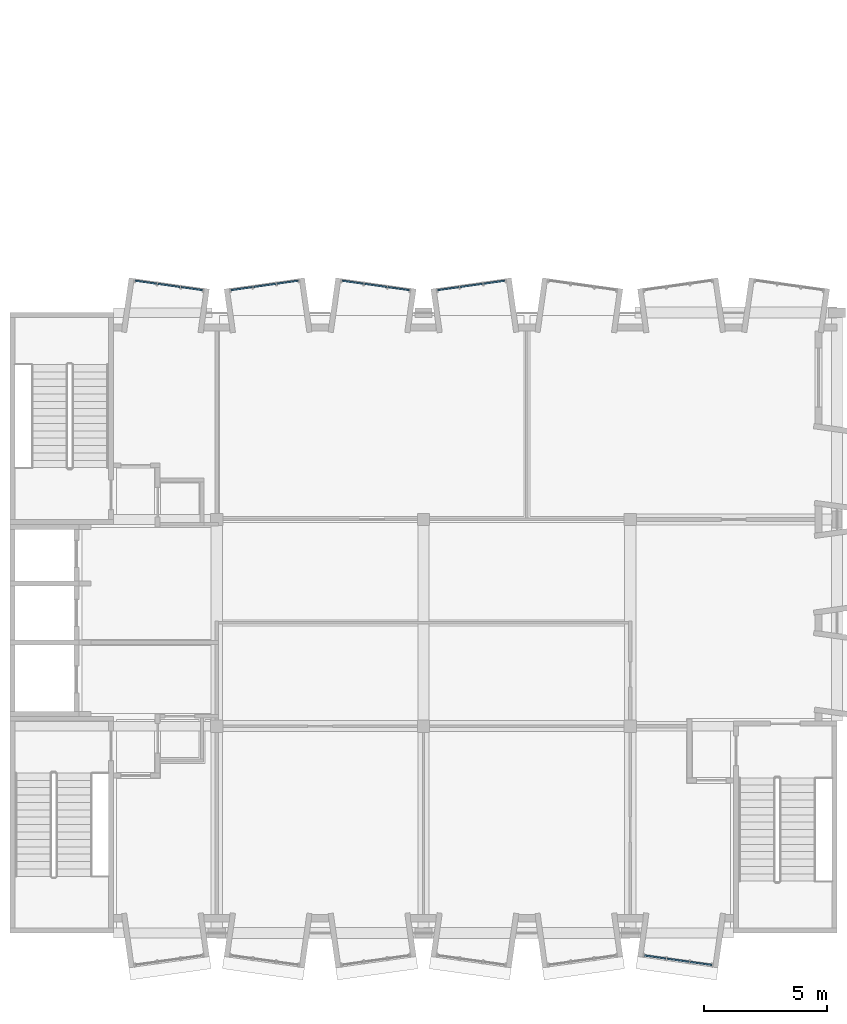
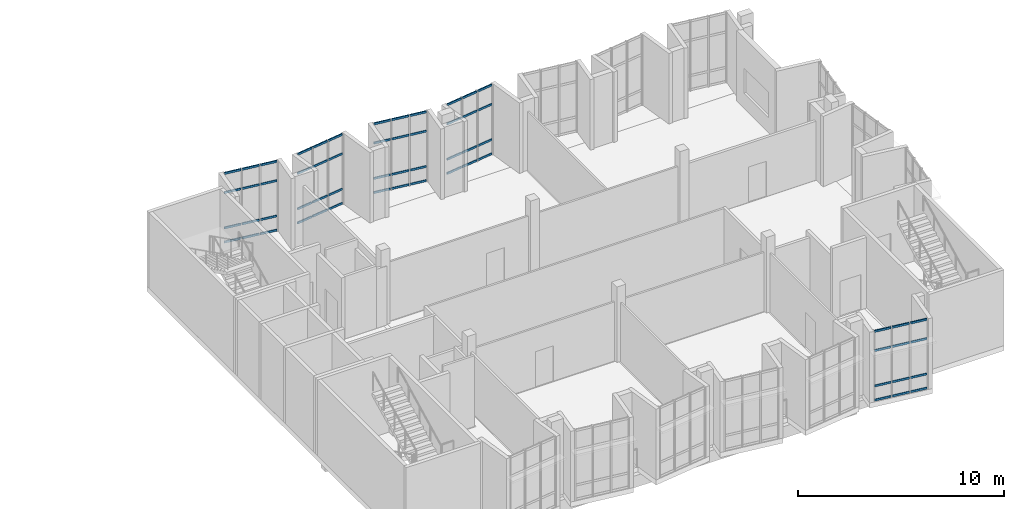
# One storey, part 6 of 18: 60 members, 5 elements without a shape of their own.
"""IFC4 building model written with IfcOpenShell, lengths in metres."""

from ifc_helpers import new_model, si_unit, direction, frame, origin, origin_2d, place, context, subcontext, project, spatial, rectangle, extrude, material, layer, layer_set, material_profile, profile_set, type_object, element, aggregate, save


model = new_model("IFC4")

# Units and contexts
model_context = context("Model", 3, precision=1e-05, world=origin(), true_north=direction((0.0, 1.0)))
body_context = subcontext(model_context, "Body", "Model", "MODEL_VIEW")
ifc_project = project(units=[si_unit("LENGTHUNIT", "METRE"), si_unit("AREAUNIT", "SQUARE_METRE"), si_unit("VOLUMEUNIT", "CUBIC_METRE"), si_unit("PLANEANGLEUNIT", "RADIAN"), si_unit("MASSUNIT", "GRAM", prefix="KILO")], contexts=[model_context])

# Site, building, storey
site_placement = place(None, origin())
site = spatial("IfcSite", under=ifc_project, at=site_placement, CompositionType="ELEMENT")
building_placement = place(site_placement, origin())
building = spatial("IfcBuilding", under=site, at=building_placement, Name="Kiln Court Media Centre", CompositionType="ELEMENT")
storey_placement = place(building_placement, frame((0.0, 0.0, 33.60009765625)))
storey = spatial("IfcBuildingStorey", under=building, at=storey_placement, Name="L07", CompositionType="ELEMENT", Elevation=33.60009765625)

# Curtain wall, members
ifc_material_1 = material(Name="Aluminium 6063-T6", Category="aluminium")
ifc_layer = layer(ifc_material_1, 0.1201171875)
ifc_layer_set = layer_set([ifc_layer], Name="Aluminium unitised bay curtain wall")
curtain_wall_type = type_object("IfcCurtainWallType", Name="Aluminium unitised bay curtain wall", PredefinedType="USERDEFINED", material=ifc_layer_set)
curtain_wall_1_placement = place(storey_placement, origin())
curtain_wall_1 = element("IfcCurtainWall", 1, at=curtain_wall_1_placement, inside=storey, type_object=curtain_wall_type, Name="BAY V6A-N-L07-45 front", ObjectType="UNITISED CURTAIN WALL", PredefinedType="USERDEFINED")
ifc_material_2 = material(Name="Aluminium 6063-T6", Category="aluminium")
ifc_material_profile = material_profile(ifc_material_2, rectangle(XDim=0.06005859375, YDim=0.1201171875, at=origin_2d()), Name="Aluminium transom 60x120")
ifc_profile_set = profile_set([ifc_material_profile], Name="Aluminium 6063-T6")
member_type = type_object("IfcMemberType", Name="Aluminium transom 60x120", PredefinedType="USERDEFINED", material=ifc_profile_set)
member_1_placement = place(storey_placement, frame((5.09423828125, 26.50048828125, 0.059814453125), z_axis=(0.990268108888, -0.139172815303, 0.0), x_axis=(0.139172815303, 0.990268108888, 0.0)))
member_1 = element("IfcMember", 2, at=member_1_placement, type_object=member_type, Name="CW7-04 transom 1.1", ObjectType="TRANSOM", PredefinedType="USERDEFINED", context=body_context, shape_type="SweptSolid", body=[
    extrude(rectangle(XDim=0.06005859375, YDim=0.1201171875, at=origin_2d()), origin(), (0.0, 0.0, 1.0), 0.86669921875),
])
member_2_placement = place(storey_placement, frame((5.09423828125, 26.50048828125, 0.89990234375), z_axis=(0.990268108888, -0.139172815303, 0.0), x_axis=(0.139172815303, 0.990268108888, 0.0)))
member_2 = element("IfcMember", 3, at=member_2_placement, type_object=member_type, Name="CW7-04 transom 1.2", ObjectType="TRANSOM", PredefinedType="USERDEFINED", context=body_context, shape_type="SweptSolid", body=[
    extrude(rectangle(XDim=0.06005859375, YDim=0.1201171875, at=origin_2d()), origin(), (0.0, 0.0, 1.0), 0.86669921875),
])
member_3_placement = place(storey_placement, frame((5.09423828125, 26.50048828125, 3.0), z_axis=(0.990268108888, -0.139172815303, 0.0), x_axis=(0.139172815303, 0.990268108888, 0.0)))
member_3 = element("IfcMember", 4, at=member_3_placement, type_object=member_type, Name="CW7-04 transom 1.3", ObjectType="TRANSOM", PredefinedType="USERDEFINED", context=body_context, shape_type="SweptSolid", body=[
    extrude(rectangle(XDim=0.06005859375, YDim=0.1201171875, at=origin_2d()), origin(), (0.0, 0.0, 1.0), 0.86669921875),
])
member_4_placement = place(storey_placement, frame((5.09423828125, 26.50048828125, 4.139892578125), z_axis=(0.990268108888, -0.139172815303, 0.0), x_axis=(0.139172815303, 0.990268108888, 0.0)))
member_4 = element("IfcMember", 5, at=member_4_placement, type_object=member_type, Name="CW7-04 transom 1.4", ObjectType="TRANSOM", PredefinedType="USERDEFINED", context=body_context, shape_type="SweptSolid", body=[
    extrude(rectangle(XDim=0.06005859375, YDim=0.1201171875, at=origin_2d()), origin(), (0.0, 0.0, 1.0), 0.86669921875),
])
member_5_placement = place(storey_placement, frame((6.011962890625, 26.37158203125, 0.059814453125), z_axis=(0.990273584723, -0.13913384707, 0.0), x_axis=(0.13913384707, 0.990273584723, 0.0)))
member_5 = element("IfcMember", 6, at=member_5_placement, type_object=member_type, Name="CW7-04 transom 2.1", ObjectType="TRANSOM", PredefinedType="USERDEFINED", context=body_context, shape_type="SweptSolid", body=[
    extrude(rectangle(XDim=0.06005859375, YDim=0.1201171875, at=origin_2d()), origin(), (0.0, 0.0, 1.0), 0.896728515625),
])
member_6_placement = place(storey_placement, frame((6.011962890625, 26.37158203125, 0.89990234375), z_axis=(0.990273584723, -0.13913384707, 0.0), x_axis=(0.13913384707, 0.990273584723, 0.0)))
member_6 = element("IfcMember", 7, at=member_6_placement, type_object=member_type, Name="CW7-04 transom 2.2", ObjectType="TRANSOM", PredefinedType="USERDEFINED", context=body_context, shape_type="SweptSolid", body=[
    extrude(rectangle(XDim=0.06005859375, YDim=0.1201171875, at=origin_2d()), origin(), (0.0, 0.0, 1.0), 0.896728515625),
])
member_7_placement = place(storey_placement, frame((6.011962890625, 26.37158203125, 3.0), z_axis=(0.990273584723, -0.13913384707, 0.0), x_axis=(0.13913384707, 0.990273584723, 0.0)))
member_7 = element("IfcMember", 8, at=member_7_placement, type_object=member_type, Name="CW7-04 transom 2.3", ObjectType="TRANSOM", PredefinedType="USERDEFINED", context=body_context, shape_type="SweptSolid", body=[
    extrude(rectangle(XDim=0.06005859375, YDim=0.1201171875, at=origin_2d()), origin(), (0.0, 0.0, 1.0), 0.896728515625),
])
member_8_placement = place(storey_placement, frame((6.011962890625, 26.37158203125, 4.139892578125), z_axis=(0.990273584723, -0.13913384707, 0.0), x_axis=(0.13913384707, 0.990273584723, 0.0)))
member_8 = element("IfcMember", 9, at=member_8_placement, type_object=member_type, Name="CW7-04 transom 2.4", ObjectType="TRANSOM", PredefinedType="USERDEFINED", context=body_context, shape_type="SweptSolid", body=[
    extrude(rectangle(XDim=0.06005859375, YDim=0.1201171875, at=origin_2d()), origin(), (0.0, 0.0, 1.0), 0.896728515625),
])
member_9_placement = place(storey_placement, frame((6.959228515625, 26.23828125, 0.059814453125), z_axis=(0.990268108888, -0.139172815303, 0.0), x_axis=(0.139172815303, 0.990268108888, 0.0)))
member_9 = element("IfcMember", 10, at=member_9_placement, type_object=member_type, Name="CW7-04 transom 3.1", ObjectType="TRANSOM", PredefinedType="USERDEFINED", context=body_context, shape_type="SweptSolid", body=[
    extrude(rectangle(XDim=0.06005859375, YDim=0.1201171875, at=origin_2d()), origin(), (0.0, 0.0, 1.0), 0.86669921875),
])
member_10_placement = place(storey_placement, frame((6.959228515625, 26.23828125, 0.89990234375), z_axis=(0.990268108888, -0.139172815303, 0.0), x_axis=(0.139172815303, 0.990268108888, 0.0)))
member_10 = element("IfcMember", 11, at=member_10_placement, type_object=member_type, Name="CW7-04 transom 3.2", ObjectType="TRANSOM", PredefinedType="USERDEFINED", context=body_context, shape_type="SweptSolid", body=[
    extrude(rectangle(XDim=0.06005859375, YDim=0.1201171875, at=origin_2d()), origin(), (0.0, 0.0, 1.0), 0.86669921875),
])
member_11_placement = place(storey_placement, frame((6.959228515625, 26.23828125, 3.0), z_axis=(0.990268108888, -0.139172815303, 0.0), x_axis=(0.139172815303, 0.990268108888, 0.0)))
member_11 = element("IfcMember", 12, at=member_11_placement, type_object=member_type, Name="CW7-04 transom 3.3", ObjectType="TRANSOM", PredefinedType="USERDEFINED", context=body_context, shape_type="SweptSolid", body=[
    extrude(rectangle(XDim=0.06005859375, YDim=0.1201171875, at=origin_2d()), origin(), (0.0, 0.0, 1.0), 0.86669921875),
])
member_12_placement = place(storey_placement, frame((6.959228515625, 26.23828125, 4.139892578125), z_axis=(0.990268108888, -0.139172815303, 0.0), x_axis=(0.139172815303, 0.990268108888, 0.0)))
member_12 = element("IfcMember", 13, at=member_12_placement, type_object=member_type, Name="CW7-04 transom 3.4", ObjectType="TRANSOM", PredefinedType="USERDEFINED", context=body_context, shape_type="SweptSolid", body=[
    extrude(rectangle(XDim=0.06005859375, YDim=0.1201171875, at=origin_2d()), origin(), (0.0, 0.0, 1.0), 0.86669921875),
])
aggregate(curtain_wall_1, [member_1, member_2, member_3, member_4, member_5, member_6, member_7, member_8, member_9, member_10, member_11, member_12])

curtain_wall_2_placement = place(storey_placement, origin())
curtain_wall_2 = element("IfcCurtainWall", 14, at=curtain_wall_2_placement, inside=storey, type_object=curtain_wall_type, Name="BAY V6A-N-L07-46 front", ObjectType="UNITISED CURTAIN WALL", PredefinedType="USERDEFINED")
member_13_placement = place(storey_placement, frame((8.982421875, 26.11767578125, 0.059814453125), z_axis=(0.990273563383, 0.139133998951, 0.0), x_axis=(-0.139133998951, 0.990273563383, 0.0)))
member_13 = element("IfcMember", 15, at=member_13_placement, type_object=member_type, Name="CW7-05 transom 1.1", ObjectType="TRANSOM", PredefinedType="USERDEFINED", context=body_context, shape_type="SweptSolid", body=[
    extrude(rectangle(XDim=0.06005859375, YDim=0.1201171875, at=origin_2d()), origin(), (0.0, 0.0, 1.0), 0.866943359375),
])
member_14_placement = place(storey_placement, frame((8.982421875, 26.11767578125, 0.89990234375), z_axis=(0.990273563383, 0.139133998951, 0.0), x_axis=(-0.139133998951, 0.990273563383, 0.0)))
member_14 = element("IfcMember", 16, at=member_14_placement, type_object=member_type, Name="CW7-05 transom 1.2", ObjectType="TRANSOM", PredefinedType="USERDEFINED", context=body_context, shape_type="SweptSolid", body=[
    extrude(rectangle(XDim=0.06005859375, YDim=0.1201171875, at=origin_2d()), origin(), (0.0, 0.0, 1.0), 0.866943359375),
])
member_15_placement = place(storey_placement, frame((8.982421875, 26.11767578125, 3.0), z_axis=(0.990273563383, 0.139133998951, 0.0), x_axis=(-0.139133998951, 0.990273563383, 0.0)))
member_15 = element("IfcMember", 17, at=member_15_placement, type_object=member_type, Name="CW7-05 transom 1.3", ObjectType="TRANSOM", PredefinedType="USERDEFINED", context=body_context, shape_type="SweptSolid", body=[
    extrude(rectangle(XDim=0.06005859375, YDim=0.1201171875, at=origin_2d()), origin(), (0.0, 0.0, 1.0), 0.866943359375),
])
member_16_placement = place(storey_placement, frame((8.982421875, 26.11767578125, 4.139892578125), z_axis=(0.990273563383, 0.139133998951, 0.0), x_axis=(-0.139133998951, 0.990273563383, 0.0)))
member_16 = element("IfcMember", 18, at=member_16_placement, type_object=member_type, Name="CW7-05 transom 1.4", ObjectType="TRANSOM", PredefinedType="USERDEFINED", context=body_context, shape_type="SweptSolid", body=[
    extrude(rectangle(XDim=0.06005859375, YDim=0.1201171875, at=origin_2d()), origin(), (0.0, 0.0, 1.0), 0.866943359375),
])
member_17_placement = place(storey_placement, frame((9.900146484375, 26.246826171875, 0.059814453125), z_axis=(0.990273584723, 0.13913384707, 0.0), x_axis=(-0.13913384707, 0.990273584723, 0.0)))
member_17 = element("IfcMember", 19, at=member_17_placement, type_object=member_type, Name="CW7-05 transom 2.1", ObjectType="TRANSOM", PredefinedType="USERDEFINED", context=body_context, shape_type="SweptSolid", body=[
    extrude(rectangle(XDim=0.06005859375, YDim=0.1201171875, at=origin_2d()), origin(), (0.0, 0.0, 1.0), 0.896728515625),
])
member_18_placement = place(storey_placement, frame((9.900146484375, 26.246826171875, 0.89990234375), z_axis=(0.990273584723, 0.13913384707, 0.0), x_axis=(-0.13913384707, 0.990273584723, 0.0)))
member_18 = element("IfcMember", 20, at=member_18_placement, type_object=member_type, Name="CW7-05 transom 2.2", ObjectType="TRANSOM", PredefinedType="USERDEFINED", context=body_context, shape_type="SweptSolid", body=[
    extrude(rectangle(XDim=0.06005859375, YDim=0.1201171875, at=origin_2d()), origin(), (0.0, 0.0, 1.0), 0.896728515625),
])
member_19_placement = place(storey_placement, frame((9.900146484375, 26.246826171875, 3.0), z_axis=(0.990273584723, 0.13913384707, 0.0), x_axis=(-0.13913384707, 0.990273584723, 0.0)))
member_19 = element("IfcMember", 21, at=member_19_placement, type_object=member_type, Name="CW7-05 transom 2.3", ObjectType="TRANSOM", PredefinedType="USERDEFINED", context=body_context, shape_type="SweptSolid", body=[
    extrude(rectangle(XDim=0.06005859375, YDim=0.1201171875, at=origin_2d()), origin(), (0.0, 0.0, 1.0), 0.896728515625),
])
member_20_placement = place(storey_placement, frame((9.900146484375, 26.246826171875, 4.139892578125), z_axis=(0.990273584723, 0.13913384707, 0.0), x_axis=(-0.13913384707, 0.990273584723, 0.0)))
member_20 = element("IfcMember", 22, at=member_20_placement, type_object=member_type, Name="CW7-05 transom 2.4", ObjectType="TRANSOM", PredefinedType="USERDEFINED", context=body_context, shape_type="SweptSolid", body=[
    extrude(rectangle(XDim=0.06005859375, YDim=0.1201171875, at=origin_2d()), origin(), (0.0, 0.0, 1.0), 0.896728515625),
])
member_21_placement = place(storey_placement, frame((10.84765625, 26.3798828125, 0.059814453125), z_axis=(0.990268108888, 0.139172815303, 0.0), x_axis=(-0.139172815303, 0.990268108888, 0.0)))
member_21 = element("IfcMember", 23, at=member_21_placement, type_object=member_type, Name="CW7-05 transom 3.1", ObjectType="TRANSOM", PredefinedType="USERDEFINED", context=body_context, shape_type="SweptSolid", body=[
    extrude(rectangle(XDim=0.06005859375, YDim=0.1201171875, at=origin_2d()), origin(), (0.0, 0.0, 1.0), 0.86669921875),
])
member_22_placement = place(storey_placement, frame((10.84765625, 26.3798828125, 0.89990234375), z_axis=(0.990268108888, 0.139172815303, 0.0), x_axis=(-0.139172815303, 0.990268108888, 0.0)))
member_22 = element("IfcMember", 24, at=member_22_placement, type_object=member_type, Name="CW7-05 transom 3.2", ObjectType="TRANSOM", PredefinedType="USERDEFINED", context=body_context, shape_type="SweptSolid", body=[
    extrude(rectangle(XDim=0.06005859375, YDim=0.1201171875, at=origin_2d()), origin(), (0.0, 0.0, 1.0), 0.86669921875),
])
member_23_placement = place(storey_placement, frame((10.84765625, 26.3798828125, 3.0), z_axis=(0.990268108888, 0.139172815303, 0.0), x_axis=(-0.139172815303, 0.990268108888, 0.0)))
member_23 = element("IfcMember", 25, at=member_23_placement, type_object=member_type, Name="CW7-05 transom 3.3", ObjectType="TRANSOM", PredefinedType="USERDEFINED", context=body_context, shape_type="SweptSolid", body=[
    extrude(rectangle(XDim=0.06005859375, YDim=0.1201171875, at=origin_2d()), origin(), (0.0, 0.0, 1.0), 0.86669921875),
])
member_24_placement = place(storey_placement, frame((10.84765625, 26.3798828125, 4.139892578125), z_axis=(0.990268108888, 0.139172815303, 0.0), x_axis=(-0.139172815303, 0.990268108888, 0.0)))
member_24 = element("IfcMember", 26, at=member_24_placement, type_object=member_type, Name="CW7-05 transom 3.4", ObjectType="TRANSOM", PredefinedType="USERDEFINED", context=body_context, shape_type="SweptSolid", body=[
    extrude(rectangle(XDim=0.06005859375, YDim=0.1201171875, at=origin_2d()), origin(), (0.0, 0.0, 1.0), 0.86669921875),
])
aggregate(curtain_wall_2, [member_13, member_14, member_15, member_16, member_17, member_18, member_19, member_20, member_21, member_22, member_23, member_24])

curtain_wall_3_placement = place(storey_placement, origin())
curtain_wall_3 = element("IfcCurtainWall", 27, at=curtain_wall_3_placement, inside=storey, type_object=curtain_wall_type, Name="BAY V6A-N-L07-47 front", ObjectType="UNITISED CURTAIN WALL", PredefinedType="USERDEFINED")
member_25_placement = place(storey_placement, frame((13.494140625, 26.50048828125, 0.059814453125), z_axis=(0.990273563383, -0.139133998951, 0.0), x_axis=(0.139133998951, 0.990273563383, 0.0)))
member_25 = element("IfcMember", 28, at=member_25_placement, type_object=member_type, Name="CW7-06 transom 1.1", ObjectType="TRANSOM", PredefinedType="USERDEFINED", context=body_context, shape_type="SweptSolid", body=[
    extrude(rectangle(XDim=0.06005859375, YDim=0.1201171875, at=origin_2d()), origin(), (0.0, 0.0, 1.0), 0.866943359375),
])
member_26_placement = place(storey_placement, frame((13.494140625, 26.50048828125, 0.89990234375), z_axis=(0.990273563383, -0.139133998951, 0.0), x_axis=(0.139133998951, 0.990273563383, 0.0)))
member_26 = element("IfcMember", 29, at=member_26_placement, type_object=member_type, Name="CW7-06 transom 1.2", ObjectType="TRANSOM", PredefinedType="USERDEFINED", context=body_context, shape_type="SweptSolid", body=[
    extrude(rectangle(XDim=0.06005859375, YDim=0.1201171875, at=origin_2d()), origin(), (0.0, 0.0, 1.0), 0.866943359375),
])
member_27_placement = place(storey_placement, frame((13.494140625, 26.50048828125, 3.0), z_axis=(0.990273563383, -0.139133998951, 0.0), x_axis=(0.139133998951, 0.990273563383, 0.0)))
member_27 = element("IfcMember", 30, at=member_27_placement, type_object=member_type, Name="CW7-06 transom 1.3", ObjectType="TRANSOM", PredefinedType="USERDEFINED", context=body_context, shape_type="SweptSolid", body=[
    extrude(rectangle(XDim=0.06005859375, YDim=0.1201171875, at=origin_2d()), origin(), (0.0, 0.0, 1.0), 0.866943359375),
])
member_28_placement = place(storey_placement, frame((13.494140625, 26.50048828125, 4.139892578125), z_axis=(0.990273563383, -0.139133998951, 0.0), x_axis=(0.139133998951, 0.990273563383, 0.0)))
member_28 = element("IfcMember", 31, at=member_28_placement, type_object=member_type, Name="CW7-06 transom 1.4", ObjectType="TRANSOM", PredefinedType="USERDEFINED", context=body_context, shape_type="SweptSolid", body=[
    extrude(rectangle(XDim=0.06005859375, YDim=0.1201171875, at=origin_2d()), origin(), (0.0, 0.0, 1.0), 0.866943359375),
])
member_29_placement = place(storey_placement, frame((14.411865234375, 26.37158203125, 0.059814453125), z_axis=(0.990273584723, -0.13913384707, 0.0), x_axis=(0.13913384707, 0.990273584723, 0.0)))
member_29 = element("IfcMember", 32, at=member_29_placement, type_object=member_type, Name="CW7-06 transom 2.1", ObjectType="TRANSOM", PredefinedType="USERDEFINED", context=body_context, shape_type="SweptSolid", body=[
    extrude(rectangle(XDim=0.06005859375, YDim=0.1201171875, at=origin_2d()), origin(), (0.0, 0.0, 1.0), 0.896728515625),
])
member_30_placement = place(storey_placement, frame((14.411865234375, 26.37158203125, 0.89990234375), z_axis=(0.990273584723, -0.13913384707, 0.0), x_axis=(0.13913384707, 0.990273584723, 0.0)))
member_30 = element("IfcMember", 33, at=member_30_placement, type_object=member_type, Name="CW7-06 transom 2.2", ObjectType="TRANSOM", PredefinedType="USERDEFINED", context=body_context, shape_type="SweptSolid", body=[
    extrude(rectangle(XDim=0.06005859375, YDim=0.1201171875, at=origin_2d()), origin(), (0.0, 0.0, 1.0), 0.896728515625),
])
member_31_placement = place(storey_placement, frame((14.411865234375, 26.37158203125, 3.0), z_axis=(0.990273584723, -0.13913384707, 0.0), x_axis=(0.13913384707, 0.990273584723, 0.0)))
member_31 = element("IfcMember", 34, at=member_31_placement, type_object=member_type, Name="CW7-06 transom 2.3", ObjectType="TRANSOM", PredefinedType="USERDEFINED", context=body_context, shape_type="SweptSolid", body=[
    extrude(rectangle(XDim=0.06005859375, YDim=0.1201171875, at=origin_2d()), origin(), (0.0, 0.0, 1.0), 0.896728515625),
])
member_32_placement = place(storey_placement, frame((14.411865234375, 26.37158203125, 4.139892578125), z_axis=(0.990273584723, -0.13913384707, 0.0), x_axis=(0.13913384707, 0.990273584723, 0.0)))
member_32 = element("IfcMember", 35, at=member_32_placement, type_object=member_type, Name="CW7-06 transom 2.4", ObjectType="TRANSOM", PredefinedType="USERDEFINED", context=body_context, shape_type="SweptSolid", body=[
    extrude(rectangle(XDim=0.06005859375, YDim=0.1201171875, at=origin_2d()), origin(), (0.0, 0.0, 1.0), 0.896728515625),
])
member_33_placement = place(storey_placement, frame((15.359130859375, 26.23828125, 0.059814453125), z_axis=(0.990273563383, -0.139133998951, 0.0), x_axis=(0.139133998951, 0.990273563383, 0.0)))
member_33 = element("IfcMember", 36, at=member_33_placement, type_object=member_type, Name="CW7-06 transom 3.1", ObjectType="TRANSOM", PredefinedType="USERDEFINED", context=body_context, shape_type="SweptSolid", body=[
    extrude(rectangle(XDim=0.06005859375, YDim=0.1201171875, at=origin_2d()), origin(), (0.0, 0.0, 1.0), 0.866943359375),
])
member_34_placement = place(storey_placement, frame((15.359130859375, 26.23828125, 0.89990234375), z_axis=(0.990273563383, -0.139133998951, 0.0), x_axis=(0.139133998951, 0.990273563383, 0.0)))
member_34 = element("IfcMember", 37, at=member_34_placement, type_object=member_type, Name="CW7-06 transom 3.2", ObjectType="TRANSOM", PredefinedType="USERDEFINED", context=body_context, shape_type="SweptSolid", body=[
    extrude(rectangle(XDim=0.06005859375, YDim=0.1201171875, at=origin_2d()), origin(), (0.0, 0.0, 1.0), 0.866943359375),
])
member_35_placement = place(storey_placement, frame((15.359130859375, 26.23828125, 3.0), z_axis=(0.990273563383, -0.139133998951, 0.0), x_axis=(0.139133998951, 0.990273563383, 0.0)))
member_35 = element("IfcMember", 38, at=member_35_placement, type_object=member_type, Name="CW7-06 transom 3.3", ObjectType="TRANSOM", PredefinedType="USERDEFINED", context=body_context, shape_type="SweptSolid", body=[
    extrude(rectangle(XDim=0.06005859375, YDim=0.1201171875, at=origin_2d()), origin(), (0.0, 0.0, 1.0), 0.866943359375),
])
member_36_placement = place(storey_placement, frame((15.359130859375, 26.23828125, 4.139892578125), z_axis=(0.990273563383, -0.139133998951, 0.0), x_axis=(0.139133998951, 0.990273563383, 0.0)))
member_36 = element("IfcMember", 39, at=member_36_placement, type_object=member_type, Name="CW7-06 transom 3.4", ObjectType="TRANSOM", PredefinedType="USERDEFINED", context=body_context, shape_type="SweptSolid", body=[
    extrude(rectangle(XDim=0.06005859375, YDim=0.1201171875, at=origin_2d()), origin(), (0.0, 0.0, 1.0), 0.866943359375),
])
aggregate(curtain_wall_3, [member_25, member_26, member_27, member_28, member_29, member_30, member_31, member_32, member_33, member_34, member_35, member_36])

curtain_wall_4_placement = place(storey_placement, origin())
curtain_wall_4 = element("IfcCurtainWall", 40, at=curtain_wall_4_placement, inside=storey, type_object=curtain_wall_type, Name="BAY V6A-N-L07-48 front", ObjectType="UNITISED CURTAIN WALL", PredefinedType="USERDEFINED")
member_37_placement = place(storey_placement, frame((17.382568359375, 26.11767578125, 0.059814453125), z_axis=(0.990268108888, 0.139172815303, 0.0), x_axis=(-0.139172815303, 0.990268108888, 0.0)))
member_37 = element("IfcMember", 41, at=member_37_placement, type_object=member_type, Name="CW7-07 transom 1.1", ObjectType="TRANSOM", PredefinedType="USERDEFINED", context=body_context, shape_type="SweptSolid", body=[
    extrude(rectangle(XDim=0.06005859375, YDim=0.1201171875, at=origin_2d()), origin(), (0.0, 0.0, 1.0), 0.86669921875),
])
member_38_placement = place(storey_placement, frame((17.382568359375, 26.11767578125, 0.89990234375), z_axis=(0.990268108888, 0.139172815303, 0.0), x_axis=(-0.139172815303, 0.990268108888, 0.0)))
member_38 = element("IfcMember", 42, at=member_38_placement, type_object=member_type, Name="CW7-07 transom 1.2", ObjectType="TRANSOM", PredefinedType="USERDEFINED", context=body_context, shape_type="SweptSolid", body=[
    extrude(rectangle(XDim=0.06005859375, YDim=0.1201171875, at=origin_2d()), origin(), (0.0, 0.0, 1.0), 0.86669921875),
])
member_39_placement = place(storey_placement, frame((17.382568359375, 26.11767578125, 3.0), z_axis=(0.990268108888, 0.139172815303, 0.0), x_axis=(-0.139172815303, 0.990268108888, 0.0)))
member_39 = element("IfcMember", 43, at=member_39_placement, type_object=member_type, Name="CW7-07 transom 1.3", ObjectType="TRANSOM", PredefinedType="USERDEFINED", context=body_context, shape_type="SweptSolid", body=[
    extrude(rectangle(XDim=0.06005859375, YDim=0.1201171875, at=origin_2d()), origin(), (0.0, 0.0, 1.0), 0.86669921875),
])
member_40_placement = place(storey_placement, frame((17.382568359375, 26.11767578125, 4.139892578125), z_axis=(0.990268108888, 0.139172815303, 0.0), x_axis=(-0.139172815303, 0.990268108888, 0.0)))
member_40 = element("IfcMember", 44, at=member_40_placement, type_object=member_type, Name="CW7-07 transom 1.4", ObjectType="TRANSOM", PredefinedType="USERDEFINED", context=body_context, shape_type="SweptSolid", body=[
    extrude(rectangle(XDim=0.06005859375, YDim=0.1201171875, at=origin_2d()), origin(), (0.0, 0.0, 1.0), 0.86669921875),
])
member_41_placement = place(storey_placement, frame((18.30029296875, 26.246826171875, 0.059814453125), z_axis=(0.990273584723, 0.13913384707, 0.0), x_axis=(-0.13913384707, 0.990273584723, 0.0)))
member_41 = element("IfcMember", 45, at=member_41_placement, type_object=member_type, Name="CW7-07 transom 2.1", ObjectType="TRANSOM", PredefinedType="USERDEFINED", context=body_context, shape_type="SweptSolid", body=[
    extrude(rectangle(XDim=0.06005859375, YDim=0.1201171875, at=origin_2d()), origin(), (0.0, 0.0, 1.0), 0.896728515625),
])
member_42_placement = place(storey_placement, frame((18.30029296875, 26.246826171875, 0.89990234375), z_axis=(0.990273584723, 0.13913384707, 0.0), x_axis=(-0.13913384707, 0.990273584723, 0.0)))
member_42 = element("IfcMember", 46, at=member_42_placement, type_object=member_type, Name="CW7-07 transom 2.2", ObjectType="TRANSOM", PredefinedType="USERDEFINED", context=body_context, shape_type="SweptSolid", body=[
    extrude(rectangle(XDim=0.06005859375, YDim=0.1201171875, at=origin_2d()), origin(), (0.0, 0.0, 1.0), 0.896728515625),
])
member_43_placement = place(storey_placement, frame((18.30029296875, 26.246826171875, 3.0), z_axis=(0.990273584723, 0.13913384707, 0.0), x_axis=(-0.13913384707, 0.990273584723, 0.0)))
member_43 = element("IfcMember", 47, at=member_43_placement, type_object=member_type, Name="CW7-07 transom 2.3", ObjectType="TRANSOM", PredefinedType="USERDEFINED", context=body_context, shape_type="SweptSolid", body=[
    extrude(rectangle(XDim=0.06005859375, YDim=0.1201171875, at=origin_2d()), origin(), (0.0, 0.0, 1.0), 0.896728515625),
])
member_44_placement = place(storey_placement, frame((18.30029296875, 26.246826171875, 4.139892578125), z_axis=(0.990273584723, 0.13913384707, 0.0), x_axis=(-0.13913384707, 0.990273584723, 0.0)))
member_44 = element("IfcMember", 48, at=member_44_placement, type_object=member_type, Name="CW7-07 transom 2.4", ObjectType="TRANSOM", PredefinedType="USERDEFINED", context=body_context, shape_type="SweptSolid", body=[
    extrude(rectangle(XDim=0.06005859375, YDim=0.1201171875, at=origin_2d()), origin(), (0.0, 0.0, 1.0), 0.896728515625),
])
member_45_placement = place(storey_placement, frame((19.24755859375, 26.3798828125, 0.059814453125), z_axis=(0.990268108888, 0.139172815303, 0.0), x_axis=(-0.139172815303, 0.990268108888, 0.0)))
member_45 = element("IfcMember", 49, at=member_45_placement, type_object=member_type, Name="CW7-07 transom 3.1", ObjectType="TRANSOM", PredefinedType="USERDEFINED", context=body_context, shape_type="SweptSolid", body=[
    extrude(rectangle(XDim=0.06005859375, YDim=0.1201171875, at=origin_2d()), origin(), (0.0, 0.0, 1.0), 0.86669921875),
])
member_46_placement = place(storey_placement, frame((19.24755859375, 26.3798828125, 0.89990234375), z_axis=(0.990268108888, 0.139172815303, 0.0), x_axis=(-0.139172815303, 0.990268108888, 0.0)))
member_46 = element("IfcMember", 50, at=member_46_placement, type_object=member_type, Name="CW7-07 transom 3.2", ObjectType="TRANSOM", PredefinedType="USERDEFINED", context=body_context, shape_type="SweptSolid", body=[
    extrude(rectangle(XDim=0.06005859375, YDim=0.1201171875, at=origin_2d()), origin(), (0.0, 0.0, 1.0), 0.86669921875),
])
member_47_placement = place(storey_placement, frame((19.24755859375, 26.3798828125, 3.0), z_axis=(0.990268108888, 0.139172815303, 0.0), x_axis=(-0.139172815303, 0.990268108888, 0.0)))
member_47 = element("IfcMember", 51, at=member_47_placement, type_object=member_type, Name="CW7-07 transom 3.3", ObjectType="TRANSOM", PredefinedType="USERDEFINED", context=body_context, shape_type="SweptSolid", body=[
    extrude(rectangle(XDim=0.06005859375, YDim=0.1201171875, at=origin_2d()), origin(), (0.0, 0.0, 1.0), 0.86669921875),
])
member_48_placement = place(storey_placement, frame((19.24755859375, 26.3798828125, 4.139892578125), z_axis=(0.990268108888, 0.139172815303, 0.0), x_axis=(-0.139172815303, 0.990268108888, 0.0)))
member_48 = element("IfcMember", 52, at=member_48_placement, type_object=member_type, Name="CW7-07 transom 3.4", ObjectType="TRANSOM", PredefinedType="USERDEFINED", context=body_context, shape_type="SweptSolid", body=[
    extrude(rectangle(XDim=0.06005859375, YDim=0.1201171875, at=origin_2d()), origin(), (0.0, 0.0, 1.0), 0.86669921875),
])
aggregate(curtain_wall_4, [member_37, member_38, member_39, member_40, member_41, member_42, member_43, member_44, member_45, member_46, member_47, member_48])

curtain_wall_5_placement = place(storey_placement, origin())
curtain_wall_5 = element("IfcCurtainWall", 53, at=curtain_wall_5_placement, inside=storey, type_object=curtain_wall_type, Name="BAY V6A-S-L07-52 front", ObjectType="UNITISED CURTAIN WALL", PredefinedType="USERDEFINED")
member_49_placement = place(storey_placement, frame((25.782470703125, -0.917724609375, 0.059814453125), z_axis=(0.990273563383, -0.139133998951, 0.0), x_axis=(0.139133998951, 0.990273563383, 0.0)))
member_49 = element("IfcMember", 54, at=member_49_placement, type_object=member_type, Name="CW7-16 transom 1.1", ObjectType="TRANSOM", PredefinedType="USERDEFINED", context=body_context, shape_type="SweptSolid", body=[
    extrude(rectangle(XDim=0.06005859375, YDim=0.1201171875, at=origin_2d()), origin(), (0.0, 0.0, 1.0), 0.866943359375),
])
member_50_placement = place(storey_placement, frame((25.782470703125, -0.917724609375, 0.89990234375), z_axis=(0.990273563383, -0.139133998951, 0.0), x_axis=(0.139133998951, 0.990273563383, 0.0)))
member_50 = element("IfcMember", 55, at=member_50_placement, type_object=member_type, Name="CW7-16 transom 1.2", ObjectType="TRANSOM", PredefinedType="USERDEFINED", context=body_context, shape_type="SweptSolid", body=[
    extrude(rectangle(XDim=0.06005859375, YDim=0.1201171875, at=origin_2d()), origin(), (0.0, 0.0, 1.0), 0.866943359375),
])
member_51_placement = place(storey_placement, frame((25.782470703125, -0.917724609375, 3.0), z_axis=(0.990273563383, -0.139133998951, 0.0), x_axis=(0.139133998951, 0.990273563383, 0.0)))
member_51 = element("IfcMember", 56, at=member_51_placement, type_object=member_type, Name="CW7-16 transom 1.3", ObjectType="TRANSOM", PredefinedType="USERDEFINED", context=body_context, shape_type="SweptSolid", body=[
    extrude(rectangle(XDim=0.06005859375, YDim=0.1201171875, at=origin_2d()), origin(), (0.0, 0.0, 1.0), 0.866943359375),
])
member_52_placement = place(storey_placement, frame((25.782470703125, -0.917724609375, 4.139892578125), z_axis=(0.990273563383, -0.139133998951, 0.0), x_axis=(0.139133998951, 0.990273563383, 0.0)))
member_52 = element("IfcMember", 57, at=member_52_placement, type_object=member_type, Name="CW7-16 transom 1.4", ObjectType="TRANSOM", PredefinedType="USERDEFINED", context=body_context, shape_type="SweptSolid", body=[
    extrude(rectangle(XDim=0.06005859375, YDim=0.1201171875, at=origin_2d()), origin(), (0.0, 0.0, 1.0), 0.866943359375),
])
member_53_placement = place(storey_placement, frame((26.7001953125, -1.046630859375, 0.059814453125), z_axis=(0.990273584723, -0.13913384707, 0.0), x_axis=(0.13913384707, 0.990273584723, 0.0)))
member_53 = element("IfcMember", 58, at=member_53_placement, type_object=member_type, Name="CW7-16 transom 2.1", ObjectType="TRANSOM", PredefinedType="USERDEFINED", context=body_context, shape_type="SweptSolid", body=[
    extrude(rectangle(XDim=0.06005859375, YDim=0.1201171875, at=origin_2d()), origin(), (0.0, 0.0, 1.0), 0.896728515625),
])
member_54_placement = place(storey_placement, frame((26.7001953125, -1.046630859375, 0.89990234375), z_axis=(0.990273584723, -0.13913384707, 0.0), x_axis=(0.13913384707, 0.990273584723, 0.0)))
member_54 = element("IfcMember", 59, at=member_54_placement, type_object=member_type, Name="CW7-16 transom 2.2", ObjectType="TRANSOM", PredefinedType="USERDEFINED", context=body_context, shape_type="SweptSolid", body=[
    extrude(rectangle(XDim=0.06005859375, YDim=0.1201171875, at=origin_2d()), origin(), (0.0, 0.0, 1.0), 0.896728515625),
])
member_55_placement = place(storey_placement, frame((26.7001953125, -1.046630859375, 3.0), z_axis=(0.990273584723, -0.13913384707, 0.0), x_axis=(0.13913384707, 0.990273584723, 0.0)))
member_55 = element("IfcMember", 60, at=member_55_placement, type_object=member_type, Name="CW7-16 transom 2.3", ObjectType="TRANSOM", PredefinedType="USERDEFINED", context=body_context, shape_type="SweptSolid", body=[
    extrude(rectangle(XDim=0.06005859375, YDim=0.1201171875, at=origin_2d()), origin(), (0.0, 0.0, 1.0), 0.896728515625),
])
member_56_placement = place(storey_placement, frame((26.7001953125, -1.046630859375, 4.139892578125), z_axis=(0.990273584723, -0.13913384707, 0.0), x_axis=(0.13913384707, 0.990273584723, 0.0)))
member_56 = element("IfcMember", 61, at=member_56_placement, type_object=member_type, Name="CW7-16 transom 2.4", ObjectType="TRANSOM", PredefinedType="USERDEFINED", context=body_context, shape_type="SweptSolid", body=[
    extrude(rectangle(XDim=0.06005859375, YDim=0.1201171875, at=origin_2d()), origin(), (0.0, 0.0, 1.0), 0.896728515625),
])
member_57_placement = place(storey_placement, frame((27.6474609375, -1.179931640625, 0.059814453125), z_axis=(0.990273563383, -0.139133998951, 0.0), x_axis=(0.139133998951, 0.990273563383, 0.0)))
member_57 = element("IfcMember", 62, at=member_57_placement, type_object=member_type, Name="CW7-16 transom 3.1", ObjectType="TRANSOM", PredefinedType="USERDEFINED", context=body_context, shape_type="SweptSolid", body=[
    extrude(rectangle(XDim=0.06005859375, YDim=0.1201171875, at=origin_2d()), origin(), (0.0, 0.0, 1.0), 0.866943359375),
])
member_58_placement = place(storey_placement, frame((27.6474609375, -1.179931640625, 0.89990234375), z_axis=(0.990273563383, -0.139133998951, 0.0), x_axis=(0.139133998951, 0.990273563383, 0.0)))
member_58 = element("IfcMember", 63, at=member_58_placement, type_object=member_type, Name="CW7-16 transom 3.2", ObjectType="TRANSOM", PredefinedType="USERDEFINED", context=body_context, shape_type="SweptSolid", body=[
    extrude(rectangle(XDim=0.06005859375, YDim=0.1201171875, at=origin_2d()), origin(), (0.0, 0.0, 1.0), 0.866943359375),
])
member_59_placement = place(storey_placement, frame((27.6474609375, -1.179931640625, 3.0), z_axis=(0.990273563383, -0.139133998951, 0.0), x_axis=(0.139133998951, 0.990273563383, 0.0)))
member_59 = element("IfcMember", 64, at=member_59_placement, type_object=member_type, Name="CW7-16 transom 3.3", ObjectType="TRANSOM", PredefinedType="USERDEFINED", context=body_context, shape_type="SweptSolid", body=[
    extrude(rectangle(XDim=0.06005859375, YDim=0.1201171875, at=origin_2d()), origin(), (0.0, 0.0, 1.0), 0.866943359375),
])
member_60_placement = place(storey_placement, frame((27.6474609375, -1.179931640625, 4.139892578125), z_axis=(0.990273563383, -0.139133998951, 0.0), x_axis=(0.139133998951, 0.990273563383, 0.0)))
member_60 = element("IfcMember", 65, at=member_60_placement, type_object=member_type, Name="CW7-16 transom 3.4", ObjectType="TRANSOM", PredefinedType="USERDEFINED", context=body_context, shape_type="SweptSolid", body=[
    extrude(rectangle(XDim=0.06005859375, YDim=0.1201171875, at=origin_2d()), origin(), (0.0, 0.0, 1.0), 0.866943359375),
])
aggregate(curtain_wall_5, [member_49, member_50, member_51, member_52, member_53, member_54, member_55, member_56, member_57, member_58, member_59, member_60])

save(model, "model.ifc")
